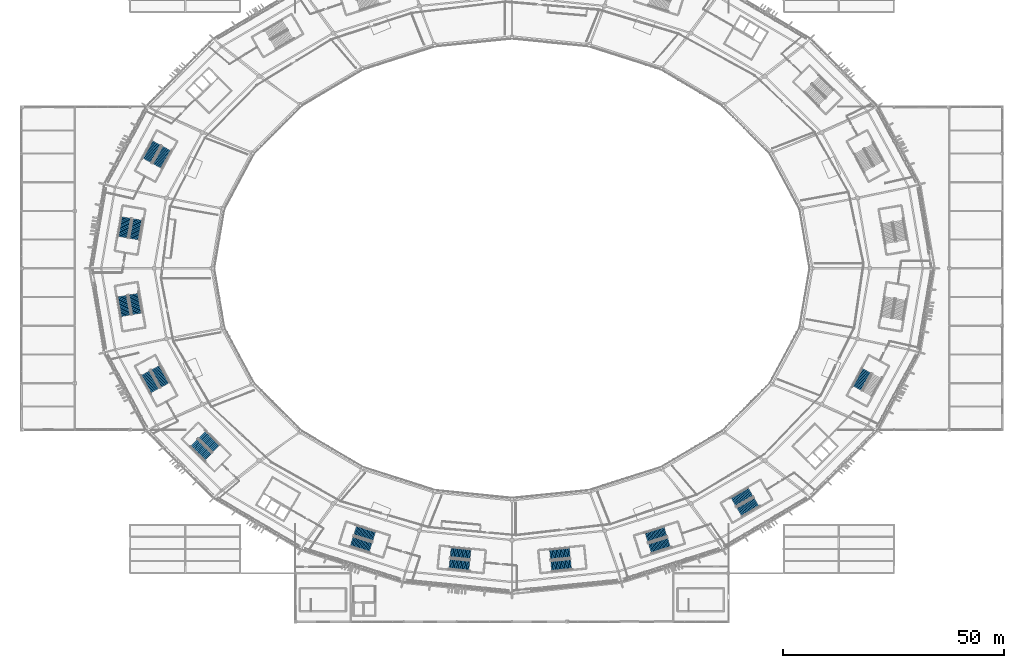
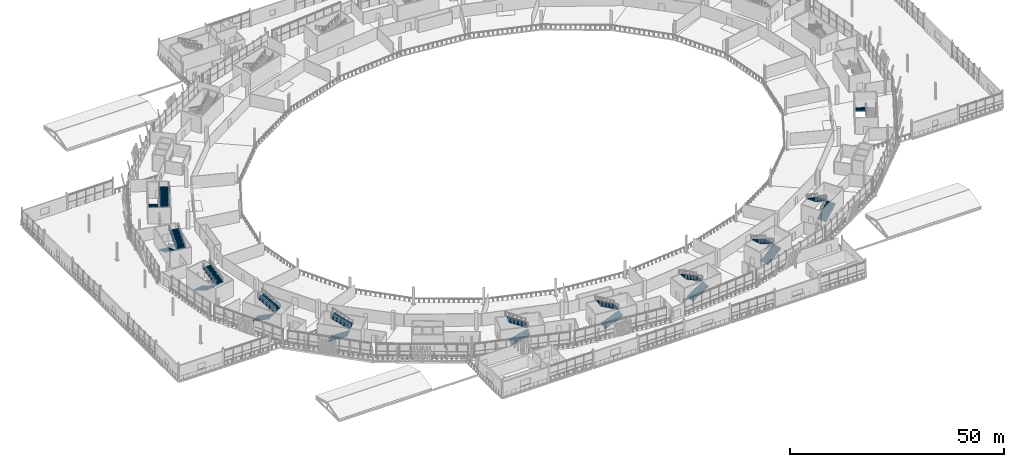
# One storey, part 136 of 179: 21 stair flights, 11 elements without a shape of their own.
"""IFC4 building model written with IfcOpenShell, lengths in metres."""

from ifc_helpers import new_model, si_unit, direction, frame, origin, place, context, subcontext, project, spatial, polyline, outline, extrude, material, type_object, element, aggregate, save


model = new_model("IFC4")

# Units and contexts
model_context = context("Model", 3, precision=1e-05, world=origin(), true_north=direction((0.0, 1.0)))
body_context = subcontext(model_context, "Body", "Model", "MODEL_VIEW")
ifc_project = project(units=[si_unit("LENGTHUNIT", "METRE"), si_unit("AREAUNIT", "SQUARE_METRE"), si_unit("VOLUMEUNIT", "CUBIC_METRE"), si_unit("PLANEANGLEUNIT", "RADIAN"), si_unit("MASSUNIT", "GRAM", prefix="KILO")], contexts=[model_context])

# Site, building, storey
site_placement = place(None, origin())
site = spatial("IfcSite", under=ifc_project, at=site_placement, CompositionType="ELEMENT")
building_placement = place(site_placement, origin())
building = spatial("IfcBuilding", under=site, at=building_placement, Name="Zlatoyarsky Gate Stadium", CompositionType="ELEMENT")
storey_placement = place(building_placement, frame((0.0, 0.0, 10.60009765625)))
storey = spatial("IfcBuildingStorey", under=building, at=storey_placement, Name="L02", CompositionType="ELEMENT", Elevation=10.60009765625)

# Stair, stair flights
ifc_material = material(Name="Concrete C40/50", Category="concrete")
stair_type = type_object("IfcStairType", Name="CONCRETE DOGLEG EXIT STAIR H5000", PredefinedType="TWO_STRAIGHT_RUN_STAIR", material=ifc_material)
stair_1_placement = place(storey_placement, origin())
stair_1 = element("IfcStair", 1, at=stair_1_placement, inside=storey, type_object=stair_type, Name="L02 Exit Stair ST-06", PredefinedType="TWO_STRAIGHT_RUN_STAIR")
stair_flight_type = type_object("IfcStairFlightType", Name="CONCRETE STAIR FLIGHT 2400 H5000", PredefinedType="STRAIGHT", material=ifc_material)
stair_flight_1_placement = place(storey_placement, frame((30.5517578125, 108.37353515625, 0.0), z_axis=(0.0, 0.0, 1.0), x_axis=(-0.476890318595, -0.878962811518, 0.0)))
stair_flight_1 = element("IfcStairFlight", 2, at=stair_flight_1_placement, type_object=stair_flight_type, Name="ST-DG50 flight 1", NumberOfRisers=16, NumberOfTreads=15, PredefinedType="STRAIGHT", RiserHeight=0.15625, TreadLength=0.3, context=body_context, shape_type="SweptSolid", body=[
    extrude(outline(polyline([(-0.006103515625, -0.202880859375), (-0.006103515625, 0.0), (0.0, 0.0), (0.0, 0.15625), (0.300048828125, 0.15625), (0.300048828125, 0.3125), (0.60009765625, 0.3125), (0.60009765625, 0.46875), (0.89990234375, 0.46875), (0.89990234375, 0.625), (1.199951171875, 0.625), (1.199951171875, 0.78125), (1.5, 0.78125), (1.5, 0.9375), (1.800048828125, 0.9375), (1.800048828125, 1.09375), (2.10009765625, 1.09375), (2.10009765625, 1.25), (2.39990234375, 1.25), (2.39990234375, 1.40625), (2.699951171875, 1.40625), (2.699951171875, 1.5625), (3.0, 1.5625), (3.0, 1.71875), (3.300048828125, 1.71875), (3.300048828125, 1.875), (3.60009765625, 1.875), (3.60009765625, 2.03125), (3.89990234375, 2.03125), (3.89990234375, 2.1875), (4.199951171875, 2.1875), (4.199951171875, 2.34375), (4.5, 2.34375), (4.5, 2.5), (4.506103515625, 2.5), (4.506103515625, 2.140869140625), (4.5, 2.140869140625), (-0.006103515625, -0.202880859375)])), frame((0.0, 1.199951171875, 0.0), z_axis=(0.0, -1.0, 0.0), x_axis=(1.0, 0.0, 0.0)), (0.0, 0.0, 1.0), 2.39990234375),
])
stair_flight_2_placement = place(storey_placement, frame((30.691162109375, 103.17822265625, 2.5), z_axis=(0.0, 0.0, 1.0), x_axis=(0.476890318595, 0.878962811518, 0.0)))
stair_flight_2 = element("IfcStairFlight", 3, at=stair_flight_2_placement, type_object=stair_flight_type, Name="ST-DG50 flight 2", NumberOfRisers=16, NumberOfTreads=15, PredefinedType="STRAIGHT", RiserHeight=0.15625, TreadLength=0.3, context=body_context, shape_type="SweptSolid", body=[
    extrude(outline(polyline([(-0.006103515625, -0.202880859375), (-0.006103515625, 0.0), (0.0, 0.0), (0.0, 0.15625), (0.300048828125, 0.15625), (0.300048828125, 0.3125), (0.60009765625, 0.3125), (0.60009765625, 0.46875), (0.89990234375, 0.46875), (0.89990234375, 0.625), (1.199951171875, 0.625), (1.199951171875, 0.78125), (1.5, 0.78125), (1.5, 0.9375), (1.800048828125, 0.9375), (1.800048828125, 1.09375), (2.10009765625, 1.09375), (2.10009765625, 1.25), (2.39990234375, 1.25), (2.39990234375, 1.40625), (2.699951171875, 1.40625), (2.699951171875, 1.5625), (3.0, 1.5625), (3.0, 1.71875), (3.300048828125, 1.71875), (3.300048828125, 1.875), (3.60009765625, 1.875), (3.60009765625, 2.03125), (3.89990234375, 2.03125), (3.89990234375, 2.1875), (4.199951171875, 2.1875), (4.199951171875, 2.34375), (4.5, 2.34375), (4.5, 2.5), (4.506103515625, 2.5), (4.506103515625, 2.140869140625), (4.5, 2.140869140625), (-0.006103515625, -0.202880859375)])), frame((0.0, 1.199951171875, 0.0), z_axis=(0.0, -1.0, 0.0), x_axis=(1.0, 0.0, 0.0)), (0.0, 0.0, 1.0), 2.39990234375),
])
aggregate(stair_1, [stair_flight_1, stair_flight_2])

stair_2_placement = place(storey_placement, origin())
stair_2 = element("IfcStair", 4, at=stair_2_placement, inside=storey, type_object=stair_type, Name="L02 Exit Stair ST-07", PredefinedType="TWO_STRAIGHT_RUN_STAIR")
stair_flight_3_placement = place(storey_placement, frame((22.80712890625, 73.71875, 0.0), z_axis=(0.0, 0.0, 1.0), x_axis=(0.169937754623, -0.985454798331, 0.0)))
stair_flight_3 = element("IfcStairFlight", 5, at=stair_flight_3_placement, type_object=stair_flight_type, Name="ST-DG50 flight 1", NumberOfRisers=16, NumberOfTreads=15, PredefinedType="STRAIGHT", RiserHeight=0.15625, TreadLength=0.3, context=body_context, shape_type="SweptSolid", body=[
    extrude(outline(polyline([(-0.006103515625, -0.202880859375), (-0.006103515625, 0.0), (0.0, 0.0), (0.0, 0.15625), (0.300048828125, 0.15625), (0.300048828125, 0.3125), (0.60009765625, 0.3125), (0.60009765625, 0.46875), (0.89990234375, 0.46875), (0.89990234375, 0.625), (1.199951171875, 0.625), (1.199951171875, 0.78125), (1.5, 0.78125), (1.5, 0.9375), (1.800048828125, 0.9375), (1.800048828125, 1.09375), (2.10009765625, 1.09375), (2.10009765625, 1.25), (2.39990234375, 1.25), (2.39990234375, 1.40625), (2.699951171875, 1.40625), (2.699951171875, 1.5625), (3.0, 1.5625), (3.0, 1.71875), (3.300048828125, 1.71875), (3.300048828125, 1.875), (3.60009765625, 1.875), (3.60009765625, 2.03125), (3.89990234375, 2.03125), (3.89990234375, 2.1875), (4.199951171875, 2.1875), (4.199951171875, 2.34375), (4.5, 2.34375), (4.5, 2.5), (4.506103515625, 2.5), (4.506103515625, 2.140869140625), (4.5, 2.140869140625), (-0.006103515625, -0.202880859375)])), frame((0.0, 1.199951171875, 0.0), z_axis=(0.0, -1.0, 0.0), x_axis=(1.0, 0.0, 0.0)), (0.0, 0.0, 1.0), 2.39990234375),
])
stair_flight_4_placement = place(storey_placement, frame((26.134033203125, 69.72607421875, 2.5), z_axis=(0.0, 0.0, 1.0), x_axis=(-0.169937754623, 0.985454798331, 0.0)))
stair_flight_4 = element("IfcStairFlight", 6, at=stair_flight_4_placement, type_object=stair_flight_type, Name="ST-DG50 flight 2", NumberOfRisers=16, NumberOfTreads=15, PredefinedType="STRAIGHT", RiserHeight=0.15625, TreadLength=0.3, context=body_context, shape_type="SweptSolid", body=[
    extrude(outline(polyline([(-0.006103515625, -0.202880859375), (-0.006103515625, 0.0), (0.0, 0.0), (0.0, 0.15625), (0.300048828125, 0.15625), (0.300048828125, 0.3125), (0.60009765625, 0.3125), (0.60009765625, 0.46875), (0.89990234375, 0.46875), (0.89990234375, 0.625), (1.199951171875, 0.625), (1.199951171875, 0.78125), (1.5, 0.78125), (1.5, 0.9375), (1.800048828125, 0.9375), (1.800048828125, 1.09375), (2.10009765625, 1.09375), (2.10009765625, 1.25), (2.39990234375, 1.25), (2.39990234375, 1.40625), (2.699951171875, 1.40625), (2.699951171875, 1.5625), (3.0, 1.5625), (3.0, 1.71875), (3.300048828125, 1.71875), (3.300048828125, 1.875), (3.60009765625, 1.875), (3.60009765625, 2.03125), (3.89990234375, 2.03125), (3.89990234375, 2.1875), (4.199951171875, 2.1875), (4.199951171875, 2.34375), (4.5, 2.34375), (4.5, 2.5), (4.506103515625, 2.5), (4.506103515625, 2.140869140625), (4.5, 2.140869140625), (-0.006103515625, -0.202880859375)])), frame((0.0, 1.199951171875, 0.0), z_axis=(0.0, -1.0, 0.0), x_axis=(1.0, 0.0, 0.0)), (0.0, 0.0, 1.0), 2.39990234375),
])
aggregate(stair_2, [stair_flight_3, stair_flight_4])

stair_3_placement = place(storey_placement, origin())
stair_3 = element("IfcStair", 7, at=stair_3_placement, inside=storey, type_object=stair_type, Name="L02 Exit Stair ST-08", PredefinedType="TWO_STRAIGHT_RUN_STAIR")
stair_flight_5_placement = place(storey_placement, frame((39.01806640625, 40.50341796875, 0.0), z_axis=(0.0, 0.0, 1.0), x_axis=(0.708901395436, -0.70530760066, 0.0)))
stair_flight_5 = element("IfcStairFlight", 8, at=stair_flight_5_placement, type_object=stair_flight_type, Name="ST-DG50 flight 1", NumberOfRisers=16, NumberOfTreads=15, PredefinedType="STRAIGHT", RiserHeight=0.15625, TreadLength=0.3, context=body_context, shape_type="SweptSolid", body=[
    extrude(outline(polyline([(-0.006103515625, -0.202880859375), (-0.006103515625, 0.0), (0.0, 0.0), (0.0, 0.15625), (0.300048828125, 0.15625), (0.300048828125, 0.3125), (0.60009765625, 0.3125), (0.60009765625, 0.46875), (0.89990234375, 0.46875), (0.89990234375, 0.625), (1.199951171875, 0.625), (1.199951171875, 0.78125), (1.5, 0.78125), (1.5, 0.9375), (1.800048828125, 0.9375), (1.800048828125, 1.09375), (2.10009765625, 1.09375), (2.10009765625, 1.25), (2.39990234375, 1.25), (2.39990234375, 1.40625), (2.699951171875, 1.40625), (2.699951171875, 1.5625), (3.0, 1.5625), (3.0, 1.71875), (3.300048828125, 1.71875), (3.300048828125, 1.875), (3.60009765625, 1.875), (3.60009765625, 2.03125), (3.89990234375, 2.03125), (3.89990234375, 2.1875), (4.199951171875, 2.1875), (4.199951171875, 2.34375), (4.5, 2.34375), (4.5, 2.5), (4.506103515625, 2.5), (4.506103515625, 2.140869140625), (4.5, 2.140869140625), (-0.006103515625, -0.202880859375)])), frame((0.0, 1.199951171875, 0.0), z_axis=(0.0, -1.0, 0.0), x_axis=(1.0, 0.0, 0.0)), (0.0, 0.0, 1.0), 2.39990234375),
])
stair_flight_6_placement = place(storey_placement, frame((44.0419921875, 39.172607421875, 2.5), z_axis=(0.0, 0.0, 1.0), x_axis=(-0.708901395436, 0.70530760066, 0.0)))
stair_flight_6 = element("IfcStairFlight", 9, at=stair_flight_6_placement, type_object=stair_flight_type, Name="ST-DG50 flight 2", NumberOfRisers=16, NumberOfTreads=15, PredefinedType="STRAIGHT", RiserHeight=0.15625, TreadLength=0.3, context=body_context, shape_type="SweptSolid", body=[
    extrude(outline(polyline([(-0.006103515625, -0.202880859375), (-0.006103515625, 0.0), (0.0, 0.0), (0.0, 0.15625), (0.300048828125, 0.15625), (0.300048828125, 0.3125), (0.60009765625, 0.3125), (0.60009765625, 0.46875), (0.89990234375, 0.46875), (0.89990234375, 0.625), (1.199951171875, 0.625), (1.199951171875, 0.78125), (1.5, 0.78125), (1.5, 0.9375), (1.800048828125, 0.9375), (1.800048828125, 1.09375), (2.10009765625, 1.09375), (2.10009765625, 1.25), (2.39990234375, 1.25), (2.39990234375, 1.40625), (2.699951171875, 1.40625), (2.699951171875, 1.5625), (3.0, 1.5625), (3.0, 1.71875), (3.300048828125, 1.71875), (3.300048828125, 1.875), (3.60009765625, 1.875), (3.60009765625, 2.03125), (3.89990234375, 2.03125), (3.89990234375, 2.1875), (4.199951171875, 2.1875), (4.199951171875, 2.34375), (4.5, 2.34375), (4.5, 2.5), (4.506103515625, 2.5), (4.506103515625, 2.140869140625), (4.5, 2.140869140625), (-0.006103515625, -0.202880859375)])), frame((0.0, 1.199951171875, 0.0), z_axis=(0.0, -1.0, 0.0), x_axis=(1.0, 0.0, 0.0)), (0.0, 0.0, 1.0), 2.39990234375),
])
aggregate(stair_3, [stair_flight_5, stair_flight_6])

stair_4_placement = place(storey_placement, origin())
stair_4 = element("IfcStair", 10, at=stair_4_placement, inside=storey, type_object=stair_type, Name="L02 Exit Stair ST-09", PredefinedType="TWO_STRAIGHT_RUN_STAIR")
stair_flight_7_placement = place(storey_placement, frame((74.70849609375, 18.179931640625, 0.0), z_axis=(0.0, 0.0, 1.0), x_axis=(0.953463118711, -0.301509670257, 0.0)))
stair_flight_7 = element("IfcStairFlight", 11, at=stair_flight_7_placement, type_object=stair_flight_type, Name="ST-DG50 flight 1", NumberOfRisers=16, NumberOfTreads=15, PredefinedType="STRAIGHT", RiserHeight=0.15625, TreadLength=0.3, context=body_context, shape_type="SweptSolid", body=[
    extrude(outline(polyline([(-0.006103515625, -0.202880859375), (-0.006103515625, 0.0), (0.0, 0.0), (0.0, 0.15625), (0.300048828125, 0.15625), (0.300048828125, 0.3125), (0.60009765625, 0.3125), (0.60009765625, 0.46875), (0.89990234375, 0.46875), (0.89990234375, 0.625), (1.199951171875, 0.625), (1.199951171875, 0.78125), (1.5, 0.78125), (1.5, 0.9375), (1.800048828125, 0.9375), (1.800048828125, 1.09375), (2.10009765625, 1.09375), (2.10009765625, 1.25), (2.39990234375, 1.25), (2.39990234375, 1.40625), (2.699951171875, 1.40625), (2.699951171875, 1.5625), (3.0, 1.5625), (3.0, 1.71875), (3.300048828125, 1.71875), (3.300048828125, 1.875), (3.60009765625, 1.875), (3.60009765625, 2.03125), (3.89990234375, 2.03125), (3.89990234375, 2.1875), (4.199951171875, 2.1875), (4.199951171875, 2.34375), (4.5, 2.34375), (4.5, 2.5), (4.506103515625, 2.5), (4.506103515625, 2.140869140625), (4.5, 2.140869140625), (-0.006103515625, -0.202880859375)])), frame((0.0, 1.199951171875, 0.0), z_axis=(0.0, -1.0, 0.0), x_axis=(1.0, 0.0, 0.0)), (0.0, 0.0, 1.0), 2.39990234375),
])
stair_flight_8_placement = place(storey_placement, frame((79.782958984375, 19.30224609375, 2.5), z_axis=(0.0, 0.0, 1.0), x_axis=(-0.953463118711, 0.301509670257, 0.0)))
stair_flight_8 = element("IfcStairFlight", 12, at=stair_flight_8_placement, type_object=stair_flight_type, Name="ST-DG50 flight 2", NumberOfRisers=16, NumberOfTreads=15, PredefinedType="STRAIGHT", RiserHeight=0.15625, TreadLength=0.3, context=body_context, shape_type="SweptSolid", body=[
    extrude(outline(polyline([(-0.006103515625, -0.202880859375), (-0.006103515625, 0.0), (0.0, 0.0), (0.0, 0.15625), (0.300048828125, 0.15625), (0.300048828125, 0.3125), (0.60009765625, 0.3125), (0.60009765625, 0.46875), (0.89990234375, 0.46875), (0.89990234375, 0.625), (1.199951171875, 0.625), (1.199951171875, 0.78125), (1.5, 0.78125), (1.5, 0.9375), (1.800048828125, 0.9375), (1.800048828125, 1.09375), (2.10009765625, 1.09375), (2.10009765625, 1.25), (2.39990234375, 1.25), (2.39990234375, 1.40625), (2.699951171875, 1.40625), (2.699951171875, 1.5625), (3.0, 1.5625), (3.0, 1.71875), (3.300048828125, 1.71875), (3.300048828125, 1.875), (3.60009765625, 1.875), (3.60009765625, 2.03125), (3.89990234375, 2.03125), (3.89990234375, 2.1875), (4.199951171875, 2.1875), (4.199951171875, 2.34375), (4.5, 2.34375), (4.5, 2.5), (4.506103515625, 2.5), (4.506103515625, 2.140869140625), (4.5, 2.140869140625), (-0.006103515625, -0.202880859375)])), frame((0.0, 1.199951171875, 0.0), z_axis=(0.0, -1.0, 0.0), x_axis=(1.0, 0.0, 0.0)), (0.0, 0.0, 1.0), 2.39990234375),
])
aggregate(stair_4, [stair_flight_7, stair_flight_8])

stair_5_placement = place(storey_placement, origin())
stair_5 = element("IfcStair", 13, at=stair_5_placement, inside=storey, type_object=stair_type, Name="L02 Exit Stair ST-10", PredefinedType="TWO_STRAIGHT_RUN_STAIR")
stair_flight_9_placement = place(storey_placement, frame((119.876220703125, 12.5732421875, 0.0), z_axis=(0.0, 0.0, 1.0), x_axis=(0.994986861964, 0.100005722426, 0.0)))
stair_flight_9 = element("IfcStairFlight", 14, at=stair_flight_9_placement, type_object=stair_flight_type, Name="ST-DG50 flight 1", NumberOfRisers=16, NumberOfTreads=15, PredefinedType="STRAIGHT", RiserHeight=0.15625, TreadLength=0.3, context=body_context, shape_type="SweptSolid", body=[
    extrude(outline(polyline([(-0.006103515625, -0.202880859375), (-0.006103515625, 0.0), (0.0, 0.0), (0.0, 0.15625), (0.300048828125, 0.15625), (0.300048828125, 0.3125), (0.60009765625, 0.3125), (0.60009765625, 0.46875), (0.89990234375, 0.46875), (0.89990234375, 0.625), (1.199951171875, 0.625), (1.199951171875, 0.78125), (1.5, 0.78125), (1.5, 0.9375), (1.800048828125, 0.9375), (1.800048828125, 1.09375), (2.10009765625, 1.09375), (2.10009765625, 1.25), (2.39990234375, 1.25), (2.39990234375, 1.40625), (2.699951171875, 1.40625), (2.699951171875, 1.5625), (3.0, 1.5625), (3.0, 1.71875), (3.300048828125, 1.71875), (3.300048828125, 1.875), (3.60009765625, 1.875), (3.60009765625, 2.03125), (3.89990234375, 2.03125), (3.89990234375, 2.1875), (4.199951171875, 2.1875), (4.199951171875, 2.34375), (4.5, 2.34375), (4.5, 2.5), (4.506103515625, 2.5), (4.506103515625, 2.140869140625), (4.5, 2.140869140625), (-0.006103515625, -0.202880859375)])), frame((0.0, 1.199951171875, 0.0), z_axis=(0.0, -1.0, 0.0), x_axis=(1.0, 0.0, 0.0)), (0.0, 0.0, 1.0), 2.39990234375),
])
stair_flight_10_placement = place(storey_placement, frame((124.093505859375, 15.610107421875, 2.5), z_axis=(0.0, 0.0, 1.0), x_axis=(-0.994986861964, -0.100005722426, 0.0)))
stair_flight_10 = element("IfcStairFlight", 15, at=stair_flight_10_placement, type_object=stair_flight_type, Name="ST-DG50 flight 2", NumberOfRisers=16, NumberOfTreads=15, PredefinedType="STRAIGHT", RiserHeight=0.15625, TreadLength=0.3, context=body_context, shape_type="SweptSolid", body=[
    extrude(outline(polyline([(-0.006103515625, -0.202880859375), (-0.006103515625, 0.0), (0.0, 0.0), (0.0, 0.15625), (0.300048828125, 0.15625), (0.300048828125, 0.3125), (0.60009765625, 0.3125), (0.60009765625, 0.46875), (0.89990234375, 0.46875), (0.89990234375, 0.625), (1.199951171875, 0.625), (1.199951171875, 0.78125), (1.5, 0.78125), (1.5, 0.9375), (1.800048828125, 0.9375), (1.800048828125, 1.09375), (2.10009765625, 1.09375), (2.10009765625, 1.25), (2.39990234375, 1.25), (2.39990234375, 1.40625), (2.699951171875, 1.40625), (2.699951171875, 1.5625), (3.0, 1.5625), (3.0, 1.71875), (3.300048828125, 1.71875), (3.300048828125, 1.875), (3.60009765625, 1.875), (3.60009765625, 2.03125), (3.89990234375, 2.03125), (3.89990234375, 2.1875), (4.199951171875, 2.1875), (4.199951171875, 2.34375), (4.5, 2.34375), (4.5, 2.5), (4.506103515625, 2.5), (4.506103515625, 2.140869140625), (4.5, 2.140869140625), (-0.006103515625, -0.202880859375)])), frame((0.0, 1.199951171875, 0.0), z_axis=(0.0, -1.0, 0.0), x_axis=(1.0, 0.0, 0.0)), (0.0, 0.0, 1.0), 2.39990234375),
])
aggregate(stair_5, [stair_flight_9, stair_flight_10])

stair_6_placement = place(storey_placement, origin())
stair_6 = element("IfcStair", 16, at=stair_6_placement, inside=storey, type_object=stair_type, Name="L02 Exit Stair ST-11", PredefinedType="TWO_STRAIGHT_RUN_STAIR")
stair_flight_11_placement = place(storey_placement, frame((162.459228515625, 24.8310546875, 0.0), z_axis=(0.0, 0.0, 1.0), x_axis=(0.86284821159, 0.505463118096, 0.0)))
stair_flight_11 = element("IfcStairFlight", 17, at=stair_flight_11_placement, type_object=stair_flight_type, Name="ST-DG50 flight 1", NumberOfRisers=16, NumberOfTreads=15, PredefinedType="STRAIGHT", RiserHeight=0.15625, TreadLength=0.3, context=body_context, shape_type="SweptSolid", body=[
    extrude(outline(polyline([(-0.006103515625, -0.202880859375), (-0.006103515625, 0.0), (0.0, 0.0), (0.0, 0.15625), (0.300048828125, 0.15625), (0.300048828125, 0.3125), (0.60009765625, 0.3125), (0.60009765625, 0.46875), (0.89990234375, 0.46875), (0.89990234375, 0.625), (1.199951171875, 0.625), (1.199951171875, 0.78125), (1.5, 0.78125), (1.5, 0.9375), (1.800048828125, 0.9375), (1.800048828125, 1.09375), (2.10009765625, 1.09375), (2.10009765625, 1.25), (2.39990234375, 1.25), (2.39990234375, 1.40625), (2.699951171875, 1.40625), (2.699951171875, 1.5625), (3.0, 1.5625), (3.0, 1.71875), (3.300048828125, 1.71875), (3.300048828125, 1.875), (3.60009765625, 1.875), (3.60009765625, 2.03125), (3.89990234375, 2.03125), (3.89990234375, 2.1875), (4.199951171875, 2.1875), (4.199951171875, 2.34375), (4.5, 2.34375), (4.5, 2.5), (4.506103515625, 2.5), (4.506103515625, 2.140869140625), (4.5, 2.140869140625), (-0.006103515625, -0.202880859375)])), frame((0.0, 1.199951171875, 0.0), z_axis=(0.0, -1.0, 0.0), x_axis=(1.0, 0.0, 0.0)), (0.0, 0.0, 1.0), 2.39990234375),
])
stair_flight_12_placement = place(storey_placement, frame((165.02783203125, 29.348876953125, 2.5), z_axis=(0.0, 0.0, 1.0), x_axis=(-0.86284821159, -0.505463118096, 0.0)))
stair_flight_12 = element("IfcStairFlight", 18, at=stair_flight_12_placement, type_object=stair_flight_type, Name="ST-DG50 flight 2", NumberOfRisers=16, NumberOfTreads=15, PredefinedType="STRAIGHT", RiserHeight=0.15625, TreadLength=0.3, context=body_context, shape_type="SweptSolid", body=[
    extrude(outline(polyline([(-0.006103515625, -0.202880859375), (-0.006103515625, 0.0), (0.0, 0.0), (0.0, 0.15625), (0.300048828125, 0.15625), (0.300048828125, 0.3125), (0.60009765625, 0.3125), (0.60009765625, 0.46875), (0.89990234375, 0.46875), (0.89990234375, 0.625), (1.199951171875, 0.625), (1.199951171875, 0.78125), (1.5, 0.78125), (1.5, 0.9375), (1.800048828125, 0.9375), (1.800048828125, 1.09375), (2.10009765625, 1.09375), (2.10009765625, 1.25), (2.39990234375, 1.25), (2.39990234375, 1.40625), (2.699951171875, 1.40625), (2.699951171875, 1.5625), (3.0, 1.5625), (3.0, 1.71875), (3.300048828125, 1.71875), (3.300048828125, 1.875), (3.60009765625, 1.875), (3.60009765625, 2.03125), (3.89990234375, 2.03125), (3.89990234375, 2.1875), (4.199951171875, 2.1875), (4.199951171875, 2.34375), (4.5, 2.34375), (4.5, 2.5), (4.506103515625, 2.5), (4.506103515625, 2.140869140625), (4.5, 2.140869140625), (-0.006103515625, -0.202880859375)])), frame((0.0, 1.199951171875, 0.0), z_axis=(0.0, -1.0, 0.0), x_axis=(1.0, 0.0, 0.0)), (0.0, 0.0, 1.0), 2.39990234375),
])
aggregate(stair_6, [stair_flight_11, stair_flight_12])

# Stair, stair flight
stair_7_placement = place(storey_placement, origin())
stair_7 = element("IfcStair", 19, at=stair_7_placement, inside=storey, type_object=stair_type, Name="L02 Exit Stair ST-12", PredefinedType="TWO_STRAIGHT_RUN_STAIR")
stair_flight_13_placement = place(storey_placement, frame((191.308837890625, 56.82177734375, 2.5), z_axis=(0.0, 0.0, 1.0), x_axis=(-0.476890318595, -0.878962811518, 0.0)))
stair_flight_13 = element("IfcStairFlight", 20, at=stair_flight_13_placement, type_object=stair_flight_type, Name="ST-DG50 flight 2", NumberOfRisers=16, NumberOfTreads=15, PredefinedType="STRAIGHT", RiserHeight=0.15625, TreadLength=0.3, context=body_context, shape_type="SweptSolid", body=[
    extrude(outline(polyline([(-0.006103515625, -0.202880859375), (-0.006103515625, 0.0), (0.0, 0.0), (0.0, 0.15625), (0.300048828125, 0.15625), (0.300048828125, 0.3125), (0.60009765625, 0.3125), (0.60009765625, 0.46875), (0.89990234375, 0.46875), (0.89990234375, 0.625), (1.199951171875, 0.625), (1.199951171875, 0.78125), (1.5, 0.78125), (1.5, 0.9375), (1.800048828125, 0.9375), (1.800048828125, 1.09375), (2.10009765625, 1.09375), (2.10009765625, 1.25), (2.39990234375, 1.25), (2.39990234375, 1.40625), (2.699951171875, 1.40625), (2.699951171875, 1.5625), (3.0, 1.5625), (3.0, 1.71875), (3.300048828125, 1.71875), (3.300048828125, 1.875), (3.60009765625, 1.875), (3.60009765625, 2.03125), (3.89990234375, 2.03125), (3.89990234375, 2.1875), (4.199951171875, 2.1875), (4.199951171875, 2.34375), (4.5, 2.34375), (4.5, 2.5), (4.506103515625, 2.5), (4.506103515625, 2.140869140625), (4.5, 2.140869140625), (-0.006103515625, -0.202880859375)])), frame((0.0, 1.199951171875, 0.0), z_axis=(0.0, -1.0, 0.0), x_axis=(1.0, 0.0, 0.0)), (0.0, 0.0, 1.0), 2.39990234375),
])
aggregate(stair_7, [stair_flight_13])

# Stair, stair flights
stair_8_placement = place(storey_placement, origin())
stair_8 = element("IfcStair", 21, at=stair_8_placement, inside=storey, type_object=stair_type, Name="L02 Exit Stair ST-15", PredefinedType="TWO_STRAIGHT_RUN_STAIR")
stair_flight_14_placement = place(storey_placement, frame((28.0244140625, 56.284912109375, 0.0), z_axis=(0.0, 0.0, 1.0), x_axis=(0.476890318595, -0.878962811518, 0.0)))
stair_flight_14 = element("IfcStairFlight", 22, at=stair_flight_14_placement, type_object=stair_flight_type, Name="ST-DG50 flight 1", NumberOfRisers=16, NumberOfTreads=15, PredefinedType="STRAIGHT", RiserHeight=0.15625, TreadLength=0.3, context=body_context, shape_type="SweptSolid", body=[
    extrude(outline(polyline([(-0.006103515625, -0.202880859375), (-0.006103515625, 0.0), (0.0, 0.0), (0.0, 0.15625), (0.300048828125, 0.15625), (0.300048828125, 0.3125), (0.60009765625, 0.3125), (0.60009765625, 0.46875), (0.89990234375, 0.46875), (0.89990234375, 0.625), (1.199951171875, 0.625), (1.199951171875, 0.78125), (1.5, 0.78125), (1.5, 0.9375), (1.800048828125, 0.9375), (1.800048828125, 1.09375), (2.10009765625, 1.09375), (2.10009765625, 1.25), (2.39990234375, 1.25), (2.39990234375, 1.40625), (2.699951171875, 1.40625), (2.699951171875, 1.5625), (3.0, 1.5625), (3.0, 1.71875), (3.300048828125, 1.71875), (3.300048828125, 1.875), (3.60009765625, 1.875), (3.60009765625, 2.03125), (3.89990234375, 2.03125), (3.89990234375, 2.1875), (4.199951171875, 2.1875), (4.199951171875, 2.34375), (4.5, 2.34375), (4.5, 2.5), (4.506103515625, 2.5), (4.506103515625, 2.140869140625), (4.5, 2.140869140625), (-0.006103515625, -0.202880859375)])), frame((0.0, 1.199951171875, 0.0), z_axis=(0.0, -1.0, 0.0), x_axis=(1.0, 0.0, 0.0)), (0.0, 0.0, 1.0), 2.39990234375),
])
stair_flight_15_placement = place(storey_placement, frame((32.45556640625, 53.569580078125, 2.5), z_axis=(0.0, 0.0, 1.0), x_axis=(-0.476890318595, 0.878962811518, 0.0)))
stair_flight_15 = element("IfcStairFlight", 23, at=stair_flight_15_placement, type_object=stair_flight_type, Name="ST-DG50 flight 2", NumberOfRisers=16, NumberOfTreads=15, PredefinedType="STRAIGHT", RiserHeight=0.15625, TreadLength=0.3, context=body_context, shape_type="SweptSolid", body=[
    extrude(outline(polyline([(-0.006103515625, -0.202880859375), (-0.006103515625, 0.0), (0.0, 0.0), (0.0, 0.15625), (0.300048828125, 0.15625), (0.300048828125, 0.3125), (0.60009765625, 0.3125), (0.60009765625, 0.46875), (0.89990234375, 0.46875), (0.89990234375, 0.625), (1.199951171875, 0.625), (1.199951171875, 0.78125), (1.5, 0.78125), (1.5, 0.9375), (1.800048828125, 0.9375), (1.800048828125, 1.09375), (2.10009765625, 1.09375), (2.10009765625, 1.25), (2.39990234375, 1.25), (2.39990234375, 1.40625), (2.699951171875, 1.40625), (2.699951171875, 1.5625), (3.0, 1.5625), (3.0, 1.71875), (3.300048828125, 1.71875), (3.300048828125, 1.875), (3.60009765625, 1.875), (3.60009765625, 2.03125), (3.89990234375, 2.03125), (3.89990234375, 2.1875), (4.199951171875, 2.1875), (4.199951171875, 2.34375), (4.5, 2.34375), (4.5, 2.5), (4.506103515625, 2.5), (4.506103515625, 2.140869140625), (4.5, 2.140869140625), (-0.006103515625, -0.202880859375)])), frame((0.0, 1.199951171875, 0.0), z_axis=(0.0, -1.0, 0.0), x_axis=(1.0, 0.0, 0.0)), (0.0, 0.0, 1.0), 2.39990234375),
])
aggregate(stair_8, [stair_flight_14, stair_flight_15])

stair_9_placement = place(storey_placement, origin())
stair_9 = element("IfcStair", 24, at=stair_9_placement, inside=storey, type_object=stair_type, Name="L02 Exit Stair ST-16", PredefinedType="TWO_STRAIGHT_RUN_STAIR")
stair_flight_16_placement = place(storey_placement, frame((142.23828125, 16.58203125, 0.0), z_axis=(0.0, 0.0, 1.0), x_axis=(0.953463118711, 0.301509670257, 0.0)))
stair_flight_16 = element("IfcStairFlight", 25, at=stair_flight_16_placement, type_object=stair_flight_type, Name="ST-DG50 flight 1", NumberOfRisers=16, NumberOfTreads=15, PredefinedType="STRAIGHT", RiserHeight=0.15625, TreadLength=0.3, context=body_context, shape_type="SweptSolid", body=[
    extrude(outline(polyline([(-0.006103515625, -0.202880859375), (-0.006103515625, 0.0), (0.0, 0.0), (0.0, 0.15625), (0.300048828125, 0.15625), (0.300048828125, 0.3125), (0.60009765625, 0.3125), (0.60009765625, 0.46875), (0.89990234375, 0.46875), (0.89990234375, 0.625), (1.199951171875, 0.625), (1.199951171875, 0.78125), (1.5, 0.78125), (1.5, 0.9375), (1.800048828125, 0.9375), (1.800048828125, 1.09375), (2.10009765625, 1.09375), (2.10009765625, 1.25), (2.39990234375, 1.25), (2.39990234375, 1.40625), (2.699951171875, 1.40625), (2.699951171875, 1.5625), (3.0, 1.5625), (3.0, 1.71875), (3.300048828125, 1.71875), (3.300048828125, 1.875), (3.60009765625, 1.875), (3.60009765625, 2.03125), (3.89990234375, 2.03125), (3.89990234375, 2.1875), (4.199951171875, 2.1875), (4.199951171875, 2.34375), (4.5, 2.34375), (4.5, 2.5), (4.506103515625, 2.5), (4.506103515625, 2.140869140625), (4.5, 2.140869140625), (-0.006103515625, -0.202880859375)])), frame((0.0, 1.199951171875, 0.0), z_axis=(0.0, -1.0, 0.0), x_axis=(1.0, 0.0, 0.0)), (0.0, 0.0, 1.0), 2.39990234375),
])
stair_flight_17_placement = place(storey_placement, frame((145.744873046875, 20.417724609375, 2.5), z_axis=(0.0, 0.0, 1.0), x_axis=(-0.953463118711, -0.301509670257, 0.0)))
stair_flight_17 = element("IfcStairFlight", 26, at=stair_flight_17_placement, type_object=stair_flight_type, Name="ST-DG50 flight 2", NumberOfRisers=16, NumberOfTreads=15, PredefinedType="STRAIGHT", RiserHeight=0.15625, TreadLength=0.3, context=body_context, shape_type="SweptSolid", body=[
    extrude(outline(polyline([(-0.006103515625, -0.202880859375), (-0.006103515625, 0.0), (0.0, 0.0), (0.0, 0.15625), (0.300048828125, 0.15625), (0.300048828125, 0.3125), (0.60009765625, 0.3125), (0.60009765625, 0.46875), (0.89990234375, 0.46875), (0.89990234375, 0.625), (1.199951171875, 0.625), (1.199951171875, 0.78125), (1.5, 0.78125), (1.5, 0.9375), (1.800048828125, 0.9375), (1.800048828125, 1.09375), (2.10009765625, 1.09375), (2.10009765625, 1.25), (2.39990234375, 1.25), (2.39990234375, 1.40625), (2.699951171875, 1.40625), (2.699951171875, 1.5625), (3.0, 1.5625), (3.0, 1.71875), (3.300048828125, 1.71875), (3.300048828125, 1.875), (3.60009765625, 1.875), (3.60009765625, 2.03125), (3.89990234375, 2.03125), (3.89990234375, 2.1875), (4.199951171875, 2.1875), (4.199951171875, 2.34375), (4.5, 2.34375), (4.5, 2.5), (4.506103515625, 2.5), (4.506103515625, 2.140869140625), (4.5, 2.140869140625), (-0.006103515625, -0.202880859375)])), frame((0.0, 1.199951171875, 0.0), z_axis=(0.0, -1.0, 0.0), x_axis=(1.0, 0.0, 0.0)), (0.0, 0.0, 1.0), 2.39990234375),
])
aggregate(stair_9, [stair_flight_16, stair_flight_17])

stair_10_placement = place(storey_placement, origin())
stair_10 = element("IfcStair", 27, at=stair_10_placement, inside=storey, type_object=stair_type, Name="L02 Exit Stair ST-18", PredefinedType="TWO_STRAIGHT_RUN_STAIR")
stair_flight_18_placement = place(storey_placement, frame((23.707763671875, 91.504150390625, 0.0), z_axis=(0.0, 0.0, 1.0), x_axis=(-0.169937754623, -0.985454798331, 0.0)))
stair_flight_18 = element("IfcStairFlight", 28, at=stair_flight_18_placement, type_object=stair_flight_type, Name="ST-DG50 flight 1", NumberOfRisers=16, NumberOfTreads=15, PredefinedType="STRAIGHT", RiserHeight=0.15625, TreadLength=0.3, context=body_context, shape_type="SweptSolid", body=[
    extrude(outline(polyline([(-0.006103515625, -0.202880859375), (-0.006103515625, 0.0), (0.0, 0.0), (0.0, 0.15625), (0.300048828125, 0.15625), (0.300048828125, 0.3125), (0.60009765625, 0.3125), (0.60009765625, 0.46875), (0.89990234375, 0.46875), (0.89990234375, 0.625), (1.199951171875, 0.625), (1.199951171875, 0.78125), (1.5, 0.78125), (1.5, 0.9375), (1.800048828125, 0.9375), (1.800048828125, 1.09375), (2.10009765625, 1.09375), (2.10009765625, 1.25), (2.39990234375, 1.25), (2.39990234375, 1.40625), (2.699951171875, 1.40625), (2.699951171875, 1.5625), (3.0, 1.5625), (3.0, 1.71875), (3.300048828125, 1.71875), (3.300048828125, 1.875), (3.60009765625, 1.875), (3.60009765625, 2.03125), (3.89990234375, 2.03125), (3.89990234375, 2.1875), (4.199951171875, 2.1875), (4.199951171875, 2.34375), (4.5, 2.34375), (4.5, 2.5), (4.506103515625, 2.5), (4.506103515625, 2.140869140625), (4.5, 2.140869140625), (-0.006103515625, -0.202880859375)])), frame((0.0, 1.199951171875, 0.0), z_axis=(0.0, -1.0, 0.0), x_axis=(1.0, 0.0, 0.0)), (0.0, 0.0, 1.0), 2.39990234375),
])
stair_flight_19_placement = place(storey_placement, frame((25.50537109375, 86.627685546875, 2.5), z_axis=(0.0, 0.0, 1.0), x_axis=(0.169937754623, 0.985454798331, 0.0)))
stair_flight_19 = element("IfcStairFlight", 29, at=stair_flight_19_placement, type_object=stair_flight_type, Name="ST-DG50 flight 2", NumberOfRisers=16, NumberOfTreads=15, PredefinedType="STRAIGHT", RiserHeight=0.15625, TreadLength=0.3, context=body_context, shape_type="SweptSolid", body=[
    extrude(outline(polyline([(-0.006103515625, -0.202880859375), (-0.006103515625, 0.0), (0.0, 0.0), (0.0, 0.15625), (0.300048828125, 0.15625), (0.300048828125, 0.3125), (0.60009765625, 0.3125), (0.60009765625, 0.46875), (0.89990234375, 0.46875), (0.89990234375, 0.625), (1.199951171875, 0.625), (1.199951171875, 0.78125), (1.5, 0.78125), (1.5, 0.9375), (1.800048828125, 0.9375), (1.800048828125, 1.09375), (2.10009765625, 1.09375), (2.10009765625, 1.25), (2.39990234375, 1.25), (2.39990234375, 1.40625), (2.699951171875, 1.40625), (2.699951171875, 1.5625), (3.0, 1.5625), (3.0, 1.71875), (3.300048828125, 1.71875), (3.300048828125, 1.875), (3.60009765625, 1.875), (3.60009765625, 2.03125), (3.89990234375, 2.03125), (3.89990234375, 2.1875), (4.199951171875, 2.1875), (4.199951171875, 2.34375), (4.5, 2.34375), (4.5, 2.5), (4.506103515625, 2.5), (4.506103515625, 2.140869140625), (4.5, 2.140869140625), (-0.006103515625, -0.202880859375)])), frame((0.0, 1.199951171875, 0.0), z_axis=(0.0, -1.0, 0.0), x_axis=(1.0, 0.0, 0.0)), (0.0, 0.0, 1.0), 2.39990234375),
])
aggregate(stair_10, [stair_flight_18, stair_flight_19])

stair_11_placement = place(storey_placement, origin())
stair_11 = element("IfcStair", 30, at=stair_11_placement, inside=storey, type_object=stair_type, Name="L02 Exit Stair ST-19", PredefinedType="TWO_STRAIGHT_RUN_STAIR")
stair_flight_20_placement = place(storey_placement, frame((96.850341796875, 13.103271484375, 0.0), z_axis=(0.0, 0.0, 1.0), x_axis=(0.994986861964, -0.100005722426, 0.0)))
stair_flight_20 = element("IfcStairFlight", 31, at=stair_flight_20_placement, type_object=stair_flight_type, Name="ST-DG50 flight 1", NumberOfRisers=16, NumberOfTreads=15, PredefinedType="STRAIGHT", RiserHeight=0.15625, TreadLength=0.3, context=body_context, shape_type="SweptSolid", body=[
    extrude(outline(polyline([(-0.006103515625, -0.202880859375), (-0.006103515625, 0.0), (0.0, 0.0), (0.0, 0.15625), (0.300048828125, 0.15625), (0.300048828125, 0.3125), (0.60009765625, 0.3125), (0.60009765625, 0.46875), (0.89990234375, 0.46875), (0.89990234375, 0.625), (1.199951171875, 0.625), (1.199951171875, 0.78125), (1.5, 0.78125), (1.5, 0.9375), (1.800048828125, 0.9375), (1.800048828125, 1.09375), (2.10009765625, 1.09375), (2.10009765625, 1.25), (2.39990234375, 1.25), (2.39990234375, 1.40625), (2.699951171875, 1.40625), (2.699951171875, 1.5625), (3.0, 1.5625), (3.0, 1.71875), (3.300048828125, 1.71875), (3.300048828125, 1.875), (3.60009765625, 1.875), (3.60009765625, 2.03125), (3.89990234375, 2.03125), (3.89990234375, 2.1875), (4.199951171875, 2.1875), (4.199951171875, 2.34375), (4.5, 2.34375), (4.5, 2.5), (4.506103515625, 2.5), (4.506103515625, 2.140869140625), (4.5, 2.140869140625), (-0.006103515625, -0.202880859375)])), frame((0.0, 1.199951171875, 0.0), z_axis=(0.0, -1.0, 0.0), x_axis=(1.0, 0.0, 0.0)), (0.0, 0.0, 1.0), 2.39990234375),
])
stair_flight_21_placement = place(storey_placement, frame((101.587890625, 15.239990234375, 2.5), z_axis=(0.0, 0.0, 1.0), x_axis=(-0.994986861964, 0.100005722426, 0.0)))
stair_flight_21 = element("IfcStairFlight", 32, at=stair_flight_21_placement, type_object=stair_flight_type, Name="ST-DG50 flight 2", NumberOfRisers=16, NumberOfTreads=15, PredefinedType="STRAIGHT", RiserHeight=0.15625, TreadLength=0.3, context=body_context, shape_type="SweptSolid", body=[
    extrude(outline(polyline([(-0.006103515625, -0.202880859375), (-0.006103515625, 0.0), (0.0, 0.0), (0.0, 0.15625), (0.300048828125, 0.15625), (0.300048828125, 0.3125), (0.60009765625, 0.3125), (0.60009765625, 0.46875), (0.89990234375, 0.46875), (0.89990234375, 0.625), (1.199951171875, 0.625), (1.199951171875, 0.78125), (1.5, 0.78125), (1.5, 0.9375), (1.800048828125, 0.9375), (1.800048828125, 1.09375), (2.10009765625, 1.09375), (2.10009765625, 1.25), (2.39990234375, 1.25), (2.39990234375, 1.40625), (2.699951171875, 1.40625), (2.699951171875, 1.5625), (3.0, 1.5625), (3.0, 1.71875), (3.300048828125, 1.71875), (3.300048828125, 1.875), (3.60009765625, 1.875), (3.60009765625, 2.03125), (3.89990234375, 2.03125), (3.89990234375, 2.1875), (4.199951171875, 2.1875), (4.199951171875, 2.34375), (4.5, 2.34375), (4.5, 2.5), (4.506103515625, 2.5), (4.506103515625, 2.140869140625), (4.5, 2.140869140625), (-0.006103515625, -0.202880859375)])), frame((0.0, 1.199951171875, 0.0), z_axis=(0.0, -1.0, 0.0), x_axis=(1.0, 0.0, 0.0)), (0.0, 0.0, 1.0), 2.39990234375),
])
aggregate(stair_11, [stair_flight_20, stair_flight_21])

save(model, "model.ifc")
